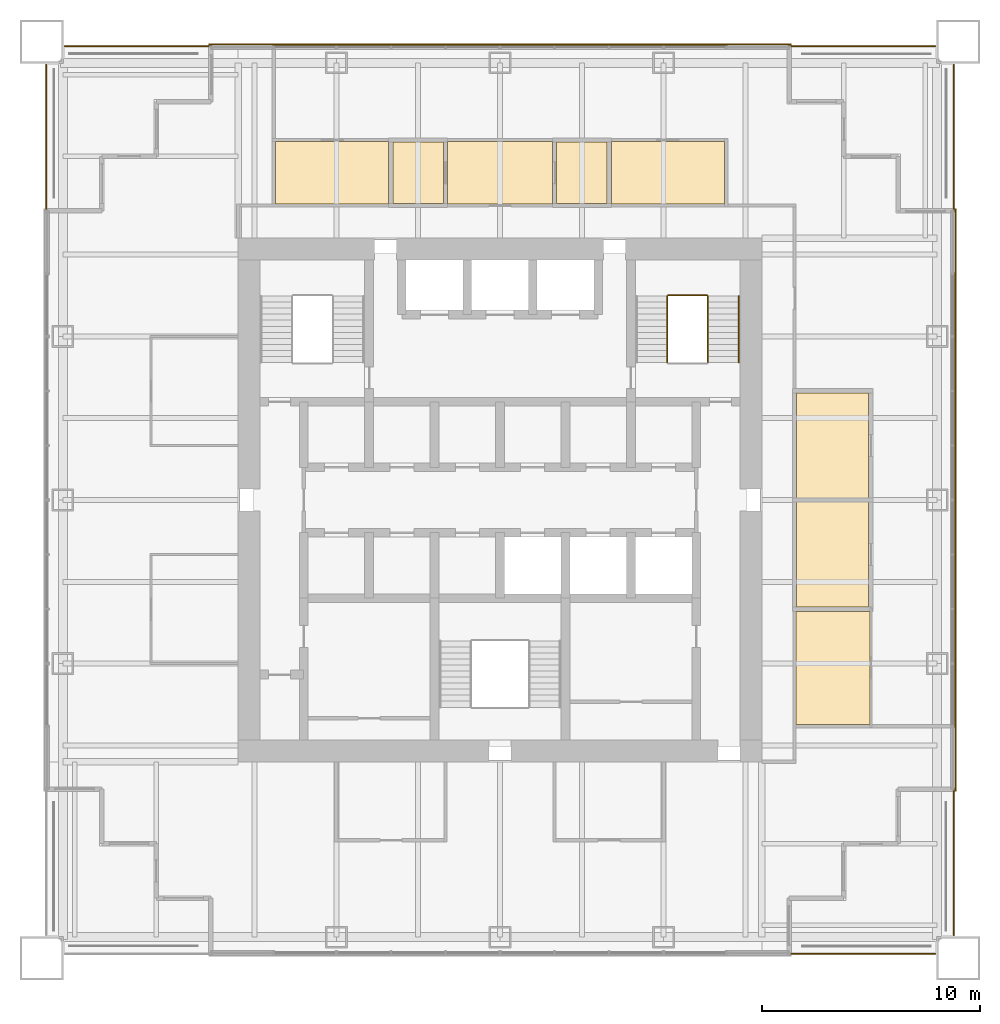
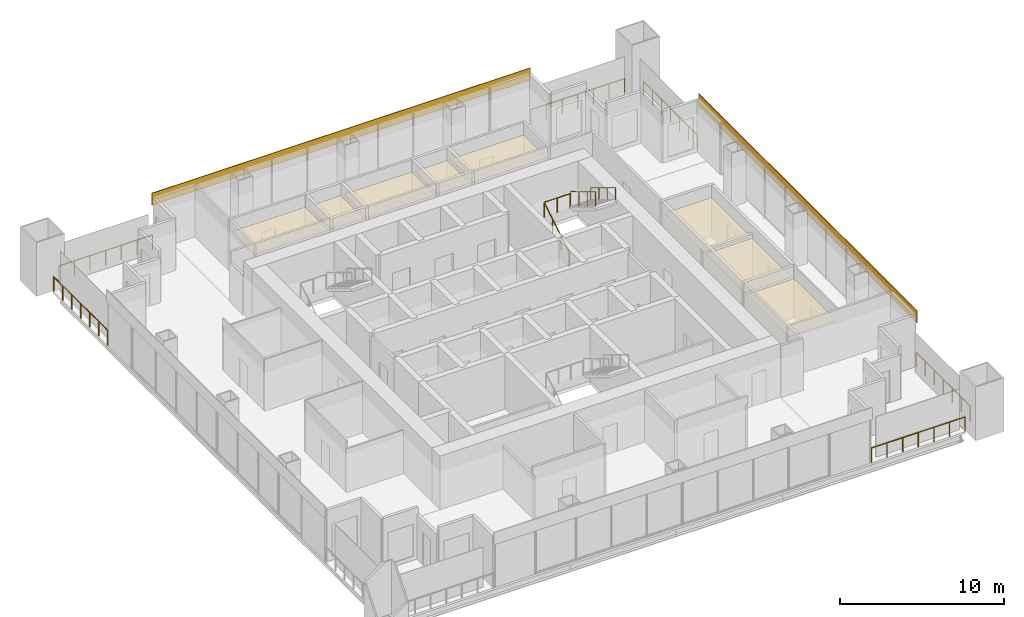
# One storey, part 14 of 14: 10 coverings, 10 railings.
"""IFC4 building model written with IfcOpenShell, lengths in metres."""

from ifc_helpers import new_model, si_unit, direction, frame, origin, origin_2d, place, context, subcontext, project, spatial, polyline, rectangle, circle, outline, extrude, material, layer, layer_set, type_object, element, save


model = new_model("IFC4")

# Units and contexts
model_context = context("Model", 3, precision=1e-05, world=origin(), true_north=direction((0.0, 1.0)))
body_context = subcontext(model_context, "Body", "Model", "MODEL_VIEW")
ifc_project = project(units=[si_unit("LENGTHUNIT", "METRE"), si_unit("AREAUNIT", "SQUARE_METRE"), si_unit("VOLUMEUNIT", "CUBIC_METRE"), si_unit("PLANEANGLEUNIT", "RADIAN"), si_unit("MASSUNIT", "GRAM", prefix="KILO")], contexts=[model_context])

# Site, building, storey
site_placement = place(None, origin())
site = spatial("IfcSite", under=ifc_project, at=site_placement, CompositionType="ELEMENT")
building_placement = place(site_placement, origin())
building = spatial("IfcBuilding", under=site, at=building_placement, Name="Tarangal Relay Tower", CompositionType="ELEMENT")
storey_placement = place(building_placement, frame((0.0, 0.0, 327.89990234375)))
storey = spatial("IfcBuildingStorey", under=building, at=storey_placement, Name="L73", CompositionType="ELEMENT", Elevation=327.89990234375)

# Coverings
ifc_material_1 = material(Name="Black anodised aluminium cladding", Category="aluminium")
ifc_layer_1 = layer(ifc_material_1, 0.050048828125)
ifc_layer_set_1 = layer_set([ifc_layer_1], Name="Black metal spandrel band")
covering_type_1 = type_object("IfcCoveringType", Name="Black metal spandrel band", PredefinedType="CLADDING", material=ifc_layer_set_1)
for number, where, z_axis, x_axis, name in (
    (1, (0.0, 20.875, 3.250244140625), (0.0, 0.0, 1.0), (1.0, 0.0, 0.0), "Spandrel band SB1 N L73"),
    (2, (20.875, 0.0, 3.250244140625), (0.0, 0.0, 1.0), (0.0, -1.0, 0.0), "Spandrel band SB1 E L73"),
):
    element("IfcCovering", number, at=place(storey_placement, frame(where, z_axis=z_axis, x_axis=x_axis)), inside=storey, type_object=covering_type_1, Name=name, PredefinedType="CLADDING", context=body_context, shape_type="SweptSolid", body=[
        extrude(rectangle(XDim=26.699951171875, YDim=0.050048828125, at=origin_2d()), origin(), (0.0, 0.0, 1.0), 0.89990234375),
    ])

# Railings
ifc_material_2 = material(Name="Steel guard, black finish", Category="steel")
railing_type_1 = type_object("IfcRailingType", Name="Stair guard 1100", PredefinedType="GUARDRAIL", material=ifc_material_2)
railing_1_placement = place(storey_placement, frame((7.669921875, 6.300048828125, 0.166748046875)))
element("IfcRailing", 3, at=railing_1_placement, inside=storey, type_object=railing_type_1, Name="Stair ST-B guard GR1 L73 flight 1", PredefinedType="GUARDRAIL", context=body_context, shape_type="SweptSolid", body=[
    extrude(circle(Radius=0.02392578125, at=origin_2d()), frame((0.0, 0.0, 1.076171875), z_axis=(0.0, 0.85685617095, 0.515555527858), x_axis=(-1.0, 0.0, 0.0)), (0.0, 0.0, 1.0), 3.555908203125),
    extrude(circle(Radius=0.02099609375, at=origin_2d()), origin(), (0.0, 0.0, 1.0), 1.052001953125),
    extrude(circle(Radius=0.02099609375, at=origin_2d()), frame((0.0, 1.015625, 0.611083984375)), (0.0, 0.0, 1.0), 1.052001953125),
    extrude(circle(Radius=0.02099609375, at=origin_2d()), frame((0.0, 2.03125, 1.22216796875)), (0.0, 0.0, 1.0), 1.052001953125),
    extrude(circle(Radius=0.02099609375, at=origin_2d()), frame((0.0, 3.046875, 1.833251953125)), (0.0, 0.0, 1.0), 1.052001953125),
])
railing_2_placement = place(storey_placement, frame((9.530029296875, 9.346923828125, 2.166748046875)))
element("IfcRailing", 4, at=railing_2_placement, inside=storey, type_object=railing_type_1, Name="Stair ST-B guard GR1 L73 flight 2", PredefinedType="GUARDRAIL", context=body_context, shape_type="SweptSolid", body=[
    extrude(circle(Radius=0.02392578125, at=origin_2d()), frame((0.0, 0.0, 1.076171875), z_axis=(0.0, -0.85685617095, 0.515555527858), x_axis=(1.0, 0.0, 0.0)), (0.0, 0.0, 1.0), 3.555908203125),
    extrude(circle(Radius=0.02099609375, at=origin_2d()), origin(), (0.0, 0.0, 1.0), 1.052001953125),
    extrude(circle(Radius=0.02099609375, at=origin_2d()), frame((0.0, -1.015625, 0.611083984375)), (0.0, 0.0, 1.0), 1.052001953125),
    extrude(circle(Radius=0.02099609375, at=origin_2d()), frame((0.0, -2.03125, 1.22216796875)), (0.0, 0.0, 1.0), 1.052001953125),
    extrude(circle(Radius=0.02099609375, at=origin_2d()), frame((0.0, -3.046875, 1.833251953125)), (0.0, 0.0, 1.0), 1.052001953125),
])
railing_3_placement = place(storey_placement, frame((7.699951171875, 9.376953125, 2.0)))
element("IfcRailing", 5, at=railing_3_placement, inside=storey, type_object=railing_type_1, Name="Stair ST-B landing guard GR1 L73", PredefinedType="GUARDRAIL", context=body_context, shape_type="SweptSolid", body=[
    extrude(circle(Radius=0.02392578125, at=origin_2d()), frame((0.0, 0.0, 1.076171875), z_axis=(1.0, 0.0, 0.0), x_axis=(0.0, 1.0, 0.0)), (0.0, 0.0, 1.0), 1.800048828125),
    extrude(circle(Radius=0.02099609375, at=origin_2d()), origin(), (0.0, 0.0, 1.0), 1.052001953125),
    extrude(circle(Radius=0.02099609375, at=origin_2d()), frame((0.89990234375, 0.0, 0.0)), (0.0, 0.0, 1.0), 1.052001953125),
    extrude(circle(Radius=0.02099609375, at=origin_2d()), frame((1.800048828125, 0.0, 0.0)), (0.0, 0.0, 1.0), 1.052001953125),
])
ifc_material_3 = material(Name="Steel handrail, black finish", Category="steel")
railing_type_2 = type_object("IfcRailingType", Name="Stair handrail 900", PredefinedType="HANDRAIL", material=ifc_material_3)
railing_4_placement = place(storey_placement, frame((10.93994140625, 9.346923828125, 2.166748046875)))
element("IfcRailing", 6, at=railing_4_placement, inside=storey, type_object=railing_type_2, Name="Stair ST-B handrail HR1 L73 flight 2", PredefinedType="HANDRAIL", context=body_context, shape_type="SweptSolid", body=[
    extrude(circle(Radius=0.02392578125, at=origin_2d()), frame((0.0, 0.0, 0.8759765625), z_axis=(0.0, -0.85685617095, 0.515555527858), x_axis=(1.0, 0.0, 0.0)), (0.0, 0.0, 1.0), 3.555908203125),
    extrude(circle(Radius=0.02099609375, at=origin_2d()), origin(), (0.0, 0.0, 1.0), 0.851806640625),
    extrude(circle(Radius=0.02099609375, at=origin_2d()), frame((0.0, -1.015625, 0.611083984375)), (0.0, 0.0, 1.0), 0.851806640625),
    extrude(circle(Radius=0.02099609375, at=origin_2d()), frame((0.0, -2.03125, 1.22216796875)), (0.0, 0.0, 1.0), 0.851806640625),
    extrude(circle(Radius=0.02099609375, at=origin_2d()), frame((0.0, -3.046875, 1.833251953125)), (0.0, 0.0, 1.0), 0.851806640625),
])

# Coverings
ifc_material_4 = material(Name="Mineral fibre ceiling tiles", Category="gypsum")
ifc_layer_2 = layer(ifc_material_4, 0.02001953125)
ifc_layer_set_2 = layer_set([ifc_layer_2], Name="Suspended ceiling")
covering_type_2 = type_object("IfcCoveringType", Name="Suspended ceiling", PredefinedType="CEILING", material=ifc_layer_set_2)
covering_1_placement = place(storey_placement, frame((0.0, 0.0, 2.900146484375)))
element("IfcCovering", 7, at=covering_1_placement, inside=storey, type_object=covering_type_2, Name="Suspended ceiling CL1 L73-02", PredefinedType="CEILING", context=body_context, shape_type="SweptSolid", body=[
    extrude(outline(polyline([(-5.10009765625, 13.574951171875), (-5.10009765625, 16.425048828125), (-10.300048828125, 16.425048828125), (-10.300048828125, 13.574951171875), (-5.10009765625, 13.574951171875)])), origin(), (0.0, 0.0, 1.0), 0.02001953125),
])
covering_2_placement = place(storey_placement, frame((0.0, 0.0, 2.900146484375)))
element("IfcCovering", 8, at=covering_2_placement, inside=storey, type_object=covering_type_2, Name="Suspended ceiling CL1 L73-03", PredefinedType="CEILING", context=body_context, shape_type="SweptSolid", body=[
    extrude(outline(polyline([(-4.89990234375, 16.39990234375), (-4.89990234375, 13.60009765625), (-2.60009765625, 13.60009765625), (-2.60009765625, 16.39990234375), (-4.89990234375, 16.39990234375)])), origin(), (0.0, 0.0, 1.0), 0.02001953125),
])
covering_3_placement = place(storey_placement, frame((0.0, 0.0, 2.900146484375)))
element("IfcCovering", 9, at=covering_3_placement, inside=storey, type_object=covering_type_2, Name="Suspended ceiling CL1 L73-04", PredefinedType="CEILING", context=body_context, shape_type="SweptSolid", body=[
    extrude(outline(polyline([(-2.39990234375, 16.425048828125), (-2.39990234375, 13.574951171875), (2.39990234375, 13.574951171875), (2.39990234375, 16.425048828125), (-2.39990234375, 16.425048828125)])), origin(), (0.0, 0.0, 1.0), 0.02001953125),
])
covering_4_placement = place(storey_placement, frame((0.0, 0.0, 2.900146484375)))
element("IfcCovering", 10, at=covering_4_placement, inside=storey, type_object=covering_type_2, Name="Suspended ceiling CL1 L73-05", PredefinedType="CEILING", context=body_context, shape_type="SweptSolid", body=[
    extrude(outline(polyline([(2.60009765625, 16.39990234375), (2.60009765625, 13.60009765625), (4.89990234375, 13.60009765625), (4.89990234375, 16.39990234375), (2.60009765625, 16.39990234375)])), origin(), (0.0, 0.0, 1.0), 0.02001953125),
])
covering_5_placement = place(storey_placement, frame((0.0, 0.0, 2.900146484375)))
element("IfcCovering", 11, at=covering_5_placement, inside=storey, type_object=covering_type_2, Name="Suspended ceiling CL1 L73-06", PredefinedType="CEILING", context=body_context, shape_type="SweptSolid", body=[
    extrude(outline(polyline([(10.300048828125, 16.425048828125), (5.10009765625, 16.425048828125), (5.10009765625, 13.574951171875), (10.300048828125, 13.574951171875), (10.300048828125, 16.425048828125)])), origin(), (0.0, 0.0, 1.0), 0.02001953125),
])
covering_6_placement = place(storey_placement, frame((0.0, 0.0, 2.900146484375)))
element("IfcCovering", 12, at=covering_6_placement, inside=storey, type_object=covering_type_2, Name="Suspended ceiling CL1 L73-07", PredefinedType="CEILING", context=body_context, shape_type="SweptSolid", body=[
    extrude(outline(polyline([(16.89990234375, 0.10009765625), (16.89990234375, 4.89990234375), (13.60009765625, 4.89990234375), (13.60009765625, 0.10009765625), (16.89990234375, 0.10009765625)])), origin(), (0.0, 0.0, 1.0), 0.02001953125),
])
covering_7_placement = place(storey_placement, frame((0.0, 0.0, 2.900146484375)))
element("IfcCovering", 13, at=covering_7_placement, inside=storey, type_object=covering_type_2, Name="Suspended ceiling CL1 L73-08", PredefinedType="CEILING", context=body_context, shape_type="SweptSolid", body=[
    extrude(outline(polyline([(13.60009765625, -4.89990234375), (16.89990234375, -4.89990234375), (16.89990234375, -0.10009765625), (13.60009765625, -0.10009765625), (13.60009765625, -4.89990234375)])), origin(), (0.0, 0.0, 1.0), 0.02001953125),
])
covering_8_placement = place(storey_placement, frame((0.0, 0.0, 2.900146484375)))
element("IfcCovering", 14, at=covering_8_placement, inside=storey, type_object=covering_type_2, Name="Suspended ceiling CL1 L73-09", PredefinedType="CEILING", context=body_context, shape_type="SweptSolid", body=[
    extrude(outline(polyline([(13.574951171875, -5.10009765625), (13.574951171875, -10.300048828125), (16.949951171875, -10.300048828125), (16.949951171875, -5.10009765625), (13.574951171875, -5.10009765625)])), origin(), (0.0, 0.0, 1.0), 0.02001953125),
])

# Railings
ifc_material_5 = material(Name="Black steel guard with glass infill", Category="steel")
railing_type_3 = type_object("IfcRailingType", Name="Terrace guard 1100", PredefinedType="GUARDRAIL", material=ifc_material_5)
railing_5_placement = place(storey_placement, frame((13.35009765625, 20.800048828125, 0.0)))
element("IfcRailing", 15, at=railing_5_placement, inside=storey, type_object=railing_type_3, Name="Terrace guard GR2 NE L73", PredefinedType="GUARDRAIL", context=body_context, shape_type="SweptSolid", body=[
    extrude(circle(Radius=0.02392578125, at=origin_2d()), frame((0.0, 0.0, 1.076171875), z_axis=(1.0, 0.0, 0.0), x_axis=(0.0, 1.0, 0.0)), (0.0, 0.0, 1.0), 6.599853515625),
    extrude(circle(Radius=0.02099609375, at=origin_2d()), origin(), (0.0, 0.0, 1.0), 1.052001953125),
    extrude(circle(Radius=0.02099609375, at=origin_2d()), frame((1.10009765625, 0.0, 0.0)), (0.0, 0.0, 1.0), 1.052001953125),
    extrude(circle(Radius=0.02099609375, at=origin_2d()), frame((2.199951171875, 0.0, 0.0)), (0.0, 0.0, 1.0), 1.052001953125),
    extrude(circle(Radius=0.02099609375, at=origin_2d()), frame((3.2998046875, 0.0, 0.0)), (0.0, 0.0, 1.0), 1.052001953125),
    extrude(circle(Radius=0.02099609375, at=origin_2d()), frame((4.39990234375, 0.0, 0.0)), (0.0, 0.0, 1.0), 1.052001953125),
    extrude(circle(Radius=0.02099609375, at=origin_2d()), frame((5.5, 0.0, 0.0)), (0.0, 0.0, 1.0), 1.052001953125),
    extrude(circle(Radius=0.02099609375, at=origin_2d()), frame((6.599853515625, 0.0, 0.0)), (0.0, 0.0, 1.0), 1.052001953125),
])
for number, where, name in (
    (16, (20.800048828125, 19.949951171875, 0.0), "Terrace guard GR2 NE L73"),
    (17, (20.800048828125, -13.35009765625, 0.0), "Terrace guard GR2 SE L73"),
):
    element("IfcRailing", number, at=place(storey_placement, frame(where)), inside=storey, type_object=railing_type_3, Name=name, PredefinedType="GUARDRAIL", context=body_context, shape_type="SweptSolid", body=[
        extrude(circle(Radius=0.02392578125, at=origin_2d()), frame((0.0, 0.0, 1.076171875), z_axis=(0.0, -1.0, 0.0), x_axis=(1.0, 0.0, 0.0)), (0.0, 0.0, 1.0), 6.599853515625),
        extrude(circle(Radius=0.02099609375, at=origin_2d()), origin(), (0.0, 0.0, 1.0), 1.052001953125),
        extrude(circle(Radius=0.02099609375, at=origin_2d()), frame((0.0, -1.10009765625, 0.0)), (0.0, 0.0, 1.0), 1.052001953125),
        extrude(circle(Radius=0.02099609375, at=origin_2d()), frame((0.0, -2.199951171875, 0.0)), (0.0, 0.0, 1.0), 1.052001953125),
        extrude(circle(Radius=0.02099609375, at=origin_2d()), frame((0.0, -3.2998046875, 0.0)), (0.0, 0.0, 1.0), 1.052001953125),
        extrude(circle(Radius=0.02099609375, at=origin_2d()), frame((0.0, -4.39990234375, 0.0)), (0.0, 0.0, 1.0), 1.052001953125),
        extrude(circle(Radius=0.02099609375, at=origin_2d()), frame((0.0, -5.5, 0.0)), (0.0, 0.0, 1.0), 1.052001953125),
        extrude(circle(Radius=0.02099609375, at=origin_2d()), frame((0.0, -6.599853515625, 0.0)), (0.0, 0.0, 1.0), 1.052001953125),
    ])
railing_6_placement = place(storey_placement, frame((19.949951171875, -20.800048828125, 0.0)))
element("IfcRailing", 18, at=railing_6_placement, inside=storey, type_object=railing_type_3, Name="Terrace guard GR2 SE L73", PredefinedType="GUARDRAIL", context=body_context, shape_type="SweptSolid", body=[
    extrude(circle(Radius=0.02392578125, at=origin_2d()), frame((0.0, 0.0, 1.076171875), z_axis=(-1.0, 0.0, 0.0), x_axis=(0.0, -1.0, 0.0)), (0.0, 0.0, 1.0), 6.599853515625),
    extrude(circle(Radius=0.02099609375, at=origin_2d()), origin(), (0.0, 0.0, 1.0), 1.052001953125),
    extrude(circle(Radius=0.02099609375, at=origin_2d()), frame((-1.10009765625, 0.0, 0.0)), (0.0, 0.0, 1.0), 1.052001953125),
    extrude(circle(Radius=0.02099609375, at=origin_2d()), frame((-2.199951171875, 0.0, 0.0)), (0.0, 0.0, 1.0), 1.052001953125),
    extrude(circle(Radius=0.02099609375, at=origin_2d()), frame((-3.2998046875, 0.0, 0.0)), (0.0, 0.0, 1.0), 1.052001953125),
    extrude(circle(Radius=0.02099609375, at=origin_2d()), frame((-4.39990234375, 0.0, 0.0)), (0.0, 0.0, 1.0), 1.052001953125),
    extrude(circle(Radius=0.02099609375, at=origin_2d()), frame((-5.5, 0.0, 0.0)), (0.0, 0.0, 1.0), 1.052001953125),
    extrude(circle(Radius=0.02099609375, at=origin_2d()), frame((-6.599853515625, 0.0, 0.0)), (0.0, 0.0, 1.0), 1.052001953125),
])
railing_7_placement = place(storey_placement, frame((-20.800048828125, 13.35009765625, 0.0)))
element("IfcRailing", 19, at=railing_7_placement, inside=storey, type_object=railing_type_3, Name="Terrace guard GR2 NW L73", PredefinedType="GUARDRAIL", context=body_context, shape_type="SweptSolid", body=[
    extrude(circle(Radius=0.02392578125, at=origin_2d()), frame((0.0, 0.0, 1.076171875), z_axis=(0.0, 1.0, 0.0), x_axis=(-1.0, 0.0, 0.0)), (0.0, 0.0, 1.0), 6.599853515625),
    extrude(circle(Radius=0.02099609375, at=origin_2d()), origin(), (0.0, 0.0, 1.0), 1.052001953125),
    extrude(circle(Radius=0.02099609375, at=origin_2d()), frame((0.0, 1.10009765625, 0.0)), (0.0, 0.0, 1.0), 1.052001953125),
    extrude(circle(Radius=0.02099609375, at=origin_2d()), frame((0.0, 2.199951171875, 0.0)), (0.0, 0.0, 1.0), 1.052001953125),
    extrude(circle(Radius=0.02099609375, at=origin_2d()), frame((0.0, 3.2998046875, 0.0)), (0.0, 0.0, 1.0), 1.052001953125),
    extrude(circle(Radius=0.02099609375, at=origin_2d()), frame((0.0, 4.39990234375, 0.0)), (0.0, 0.0, 1.0), 1.052001953125),
    extrude(circle(Radius=0.02099609375, at=origin_2d()), frame((0.0, 5.5, 0.0)), (0.0, 0.0, 1.0), 1.052001953125),
    extrude(circle(Radius=0.02099609375, at=origin_2d()), frame((0.0, 6.599853515625, 0.0)), (0.0, 0.0, 1.0), 1.052001953125),
])
railing_8_placement = place(storey_placement, frame((-19.949951171875, 20.800048828125, 0.0)))
element("IfcRailing", 20, at=railing_8_placement, inside=storey, type_object=railing_type_3, Name="Terrace guard GR2 NW L73", PredefinedType="GUARDRAIL", context=body_context, shape_type="SweptSolid", body=[
    extrude(circle(Radius=0.02392578125, at=origin_2d()), frame((0.0, 0.0, 1.076171875), z_axis=(1.0, 0.0, 0.0), x_axis=(0.0, 1.0, 0.0)), (0.0, 0.0, 1.0), 6.599853515625),
    extrude(circle(Radius=0.02099609375, at=origin_2d()), origin(), (0.0, 0.0, 1.0), 1.052001953125),
    extrude(circle(Radius=0.02099609375, at=origin_2d()), frame((1.10009765625, 0.0, 0.0)), (0.0, 0.0, 1.0), 1.052001953125),
    extrude(circle(Radius=0.02099609375, at=origin_2d()), frame((2.199951171875, 0.0, 0.0)), (0.0, 0.0, 1.0), 1.052001953125),
    extrude(circle(Radius=0.02099609375, at=origin_2d()), frame((3.2998046875, 0.0, 0.0)), (0.0, 0.0, 1.0), 1.052001953125),
    extrude(circle(Radius=0.02099609375, at=origin_2d()), frame((4.39990234375, 0.0, 0.0)), (0.0, 0.0, 1.0), 1.052001953125),
    extrude(circle(Radius=0.02099609375, at=origin_2d()), frame((5.5, 0.0, 0.0)), (0.0, 0.0, 1.0), 1.052001953125),
    extrude(circle(Radius=0.02099609375, at=origin_2d()), frame((6.599853515625, 0.0, 0.0)), (0.0, 0.0, 1.0), 1.052001953125),
])

save(model, "model.ifc")
